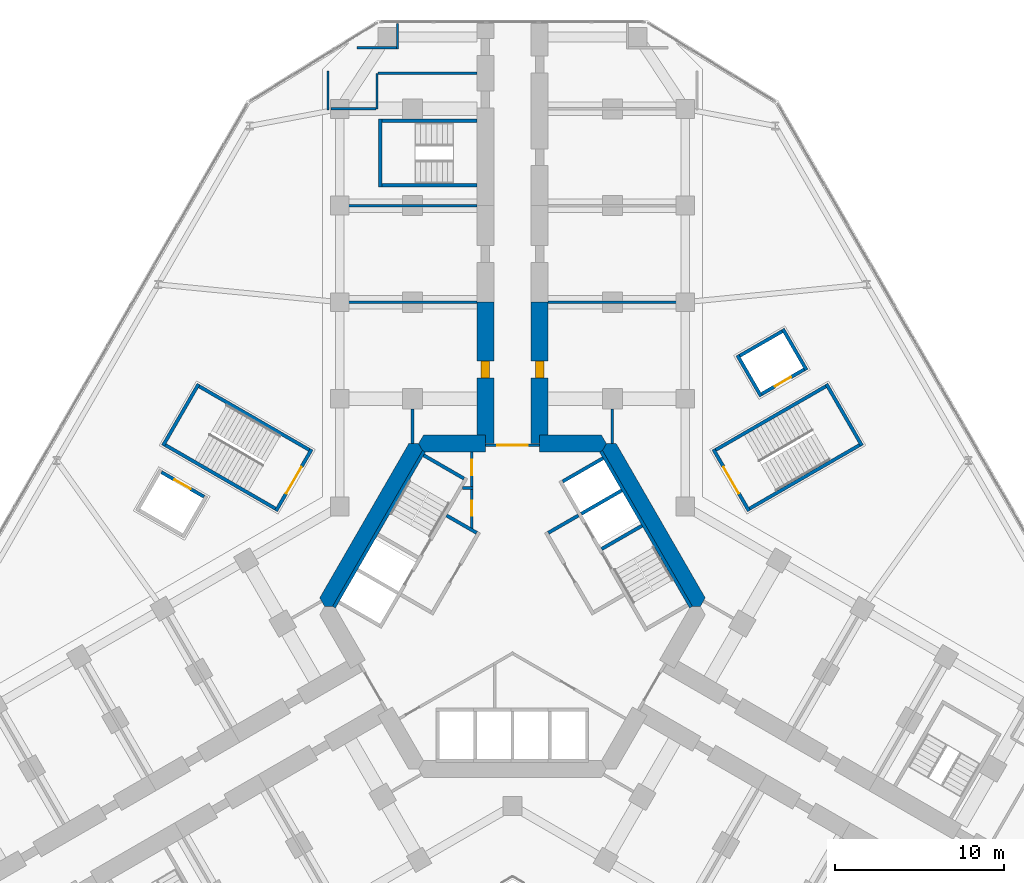
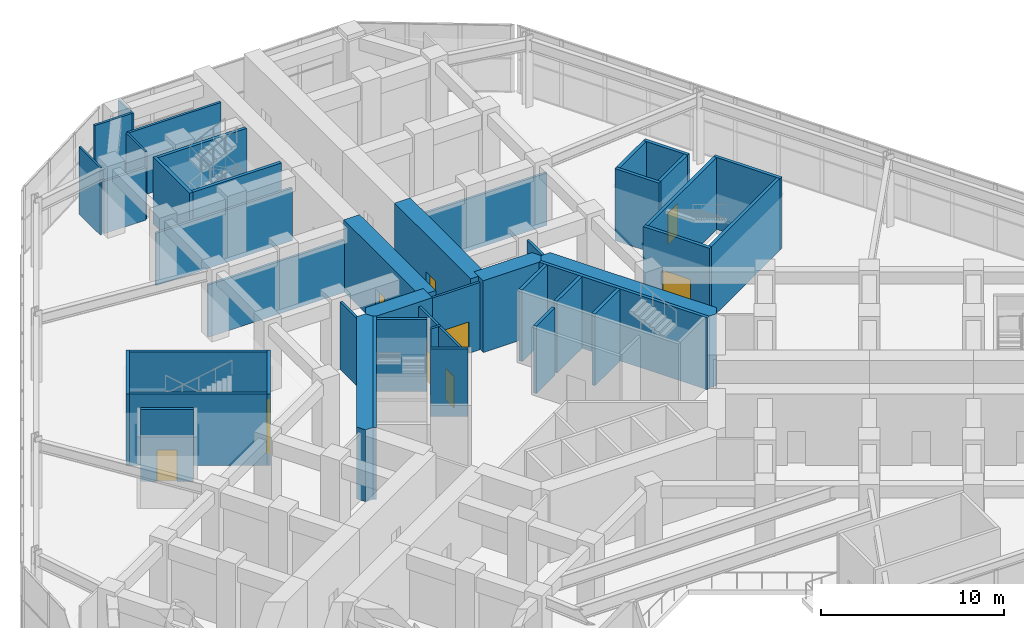
# One storey, part 17 of 22: 44 walls, 9 doors, 9 openings.
"""IFC4 building model written with IfcOpenShell, lengths in metres."""

from ifc_helpers import new_model, si_unit, direction, frame, frame_2d, origin, place, context, subcontext, project, spatial, polyline, rectangle, outline, extrude, material, layer, layer_set, type_object, element, fill, save


model = new_model("IFC4")

# Units and contexts
model_context = context("Model", 3, precision=1e-05, world=origin(), true_north=direction((0.0, 1.0)))
body_context = subcontext(model_context, "Body", "Model", "MODEL_VIEW")
ifc_project = project(units=[si_unit("LENGTHUNIT", "METRE"), si_unit("AREAUNIT", "SQUARE_METRE"), si_unit("VOLUMEUNIT", "CUBIC_METRE"), si_unit("PLANEANGLEUNIT", "RADIAN"), si_unit("MASSUNIT", "GRAM", prefix="KILO")], contexts=[model_context])

# Site, building, storey
site_placement = place(None, origin())
site = spatial("IfcSite", under=ifc_project, at=site_placement, CompositionType="ELEMENT")
building_placement = place(site_placement, origin())
building = spatial("IfcBuilding", under=site, at=building_placement, Name="Kosmar Iwan School Tower", CompositionType="ELEMENT")
storey_placement = place(building_placement, frame((0.0, 0.0, 15.60009765625)))
storey = spatial("IfcBuildingStorey", under=building, at=storey_placement, Name="L03", CompositionType="ELEMENT", Elevation=15.60009765625)

# Wall, openings, doors
ifc_material_1 = material(Name="Gypsum board on steel studs, fire-rated", Category="steel")
ifc_layer_1 = layer(ifc_material_1, 0.14990234375)
ifc_layer_set_1 = layer_set([ifc_layer_1], Name="Core room partition 150")
wall_type_1 = type_object("IfcWallType", Name="Core room partition 150", PredefinedType="PARTITIONING", material=ifc_layer_set_1)
wall_1_placement = place(storey_placement, frame((-2.39990234375, 9.094970703125, 0.0), z_axis=(0.0, 0.0, 1.0), x_axis=(0.0, -1.0, 0.0)))
wall_1 = element("IfcWall", 1, at=wall_1_placement, inside=storey, type_object=wall_type_1, Name="Core room partition L03-CW1", PredefinedType="PARTITIONING", context=body_context, shape_type="SweptSolid", body=[
    extrude(rectangle(XDim=4.564208984375, YDim=0.14990234375, at=frame_2d((2.2822265625, 0.0))), origin(), (0.0, 0.0, 1.0), 4.5),
])
opening_1_placement = place(wall_1_placement, frame((0.455078125, 0.0, 0.0)))
opening_1 = element("IfcOpeningElement", 2, at=opening_1_placement, cuts=wall_1, Name="Opening D14", PredefinedType="OPENING", context=body_context, shape_type="SweptSolid", body=[
    extrude(rectangle(XDim=0.89990234375, YDim=2.10009765625, at=frame_2d((0.449951171875, 1.050048828125))), frame((0.0, 0.0869140625, 0.0), z_axis=(0.0, -1.0, 0.0), x_axis=(1.0, 0.0, 0.0)), (0.0, 0.0, 1.0), 0.173828125),
])
opening_2_placement = place(wall_1_placement, frame((2.85498046875, 0.0, 0.0)))
opening_2 = element("IfcOpeningElement", 3, at=opening_2_placement, cuts=wall_1, Name="Opening D14", PredefinedType="OPENING", context=body_context, shape_type="SweptSolid", body=[
    extrude(rectangle(XDim=0.89990234375, YDim=2.10009765625, at=frame_2d((0.449951171875, 1.050048828125))), frame((0.0, 0.0869140625, 0.0), z_axis=(0.0, -1.0, 0.0), x_axis=(1.0, 0.0, 0.0)), (0.0, 0.0, 1.0), 0.173828125),
])
ifc_material_2 = material(Name="Timber fire door in steel frame", Category="steel")
door_type_1 = type_object("IfcDoorType", Name="Core room door 900x2100", OperationType="SINGLE_SWING_LEFT", PredefinedType="DOOR", material=ifc_material_2)
door_1_placement = place(opening_1_placement, origin())
door_1 = element("IfcDoor", 4, at=door_1_placement, inside=storey, type_object=door_type_1, Name="Electrical riser and switch room door L03 1", OperationType="SINGLE_SWING_LEFT", OverallHeight=2.10009765625, OverallWidth=0.89990234375, PredefinedType="DOOR", context=body_context, shape_type="SweptSolid", body=[
    extrude(rectangle(XDim=0.89990234375, YDim=2.10009765625, at=frame_2d((0.449951171875, 1.050048828125))), frame((0.0, 0.02490234375, 0.0), z_axis=(0.0, -1.0, 0.0), x_axis=(1.0, 0.0, 0.0)), (0.0, 0.0, 1.0), 0.050048828125),
])
fill(opening_1, door_1)
door_2_placement = place(opening_2_placement, origin())
door_2 = element("IfcDoor", 5, at=door_2_placement, inside=storey, type_object=door_type_1, Name="Plumbing and wet riser door L03 2", OperationType="SINGLE_SWING_RIGHT", OverallHeight=2.10009765625, OverallWidth=0.89990234375, PredefinedType="DOOR", context=body_context, shape_type="SweptSolid", body=[
    extrude(rectangle(XDim=0.89990234375, YDim=2.10009765625, at=frame_2d((0.449951171875, 1.050048828125))), frame((0.0, 0.02490234375, 0.0), z_axis=(0.0, -1.0, 0.0), x_axis=(1.0, 0.0, 0.0)), (0.0, 0.0, 1.0), 0.050048828125),
])
fill(opening_2, door_2)

# Walls
wall_2_placement = place(storey_placement, frame((-2.324951171875, 6.985107421875, 0.0), z_axis=(0.0, 0.0, 1.0), x_axis=(-1.0, 0.0, 0.0)))
element("IfcWall", 6, at=wall_2_placement, inside=storey, type_object=wall_type_1, Name="Core room partition L03-CW2", PredefinedType="PARTITIONING", context=body_context, shape_type="SweptSolid", body=[
    extrude(rectangle(XDim=0.623779296875, YDim=0.14990234375, at=frame_2d((0.31201171875, 0.0))), origin(), (0.0, 0.0, 1.0), 4.5),
])
ifc_material_3 = material(Name="Concrete C50/60", Category="concrete")
ifc_layer_2 = layer(ifc_material_3, 1.0)
ifc_layer_set_2 = layer_set([ifc_layer_2], Name="Core wall 1000")
wall_type_2 = type_object("IfcWallType", Name="Core wall 1000", PredefinedType="SHEAR", material=ifc_layer_set_2)
wall_3_placement = place(storey_placement, origin())
element("IfcWall", 7, at=wall_3_placement, inside=storey, type_object=wall_type_2, Name="Core wall F030", PredefinedType="SHEAR", context=body_context, shape_type="SweptSolid", body=[
    extrude(outline(polyline([(10.5078125, 0.0), (11.085205078125, 0.0), (11.373779296875, 0.5), (6.119873046875, 9.60009765625), (5.54248046875, 9.60009765625), (5.25390625, 9.10009765625), (10.5078125, 0.0)])), origin(), (0.0, 0.0, 1.0), 4.7998046875),
])
wall_4_placement = place(storey_placement, origin())
element("IfcWall", 8, at=wall_4_placement, inside=storey, type_object=wall_type_2, Name="Core wall F090a", PredefinedType="SHEAR", context=body_context, shape_type="SweptSolid", body=[
    extrude(outline(polyline([(1.60009765625, 9.10009765625), (5.25390625, 9.10009765625), (5.54248046875, 9.60009765625), (5.25390625, 10.10009765625), (1.60009765625, 10.10009765625), (1.60009765625, 9.10009765625)])), origin(), (0.0, 0.0, 1.0), 4.7998046875),
])
wall_5_placement = place(storey_placement, origin())
element("IfcWall", 9, at=wall_5_placement, inside=storey, type_object=wall_type_2, Name="Core wall F090b", PredefinedType="SHEAR", context=body_context, shape_type="SweptSolid", body=[
    extrude(outline(polyline([(-5.25390625, 9.10009765625), (-1.60009765625, 9.10009765625), (-1.60009765625, 10.10009765625), (-5.25390625, 10.10009765625), (-5.54248046875, 9.60009765625), (-5.25390625, 9.10009765625)])), origin(), (0.0, 0.0, 1.0), 4.7998046875),
])
wall_6_placement = place(storey_placement, origin())
element("IfcWall", 10, at=wall_6_placement, inside=storey, type_object=wall_type_2, Name="Core wall F150", PredefinedType="SHEAR", context=body_context, shape_type="SweptSolid", body=[
    extrude(outline(polyline([(-11.085205078125, 0.0), (-10.5078125, 0.0), (-5.25390625, 9.10009765625), (-5.54248046875, 9.60009765625), (-6.119873046875, 9.60009765625), (-11.373779296875, 0.5), (-11.085205078125, 0.0)])), origin(), (0.0, 0.0, 1.0), 4.7998046875),
])

# Wall, opening, door
ifc_material_4 = material(Name="Concrete C50/60", Category="concrete")
ifc_layer_3 = layer(ifc_material_4, 1.0)
ifc_layer_set_3 = layer_set([ifc_layer_3], Name="Corridor buttress wall 1000")
wall_type_3 = type_object("IfcWallType", Name="Corridor buttress wall 1000", PredefinedType="SHEAR", material=ifc_layer_set_3)
wall_7_placement = place(storey_placement, frame((-1.60009765625, 9.60009765625, 0.0), z_axis=(0.0, 0.0, 1.0), x_axis=(0.0, 1.0, 0.0)))
wall_7 = element("IfcWall", 11, at=wall_7_placement, inside=storey, type_object=wall_type_3, Name="Corridor wall AL", PredefinedType="SHEAR", context=body_context, shape_type="SweptSolid", body=[
    extrude(rectangle(XDim=8.349853515625, YDim=1.0, at=frame_2d((4.1748046875, 0.0))), origin(), (0.0, 0.0, 1.0), 4.7998046875),
])
opening_3_placement = place(wall_7_placement, frame((3.875, 0.0, 0.0)))
opening_3 = element("IfcOpeningElement", 12, at=opening_3_placement, cuts=wall_7, Name="Opening D4", PredefinedType="OPENING", context=body_context, shape_type="SweptSolid", body=[
    extrude(rectangle(XDim=1.0, YDim=2.300048828125, at=frame_2d((0.5, 1.14990234375))), frame((0.0, 0.511962890625, 0.0), z_axis=(0.0, -1.0, 0.0), x_axis=(1.0, 0.0, 0.0)), (0.0, 0.0, 1.0), 1.02392578125),
])
ifc_material_5 = material(Name="Timber fire door with vision panel", Category="wood")
door_type_2 = type_object("IfcDoorType", Name="Classroom door 1000x2300", OperationType="SINGLE_SWING_LEFT", PredefinedType="DOOR", material=ifc_material_5)
door_3_placement = place(opening_3_placement, origin())
door_3 = element("IfcDoor", 13, at=door_3_placement, inside=storey, type_object=door_type_2, Name="Secondary classroom AL1 door L03-AL1", OperationType="SINGLE_SWING_RIGHT", OverallHeight=2.300048828125, OverallWidth=1.0, PredefinedType="DOOR", context=body_context, shape_type="SweptSolid", body=[
    extrude(rectangle(XDim=1.0, YDim=2.300048828125, at=frame_2d((0.5, 1.14990234375))), frame((0.0, 0.25, 0.0), z_axis=(0.0, -1.0, 0.0), x_axis=(1.0, 0.0, 0.0)), (0.0, 0.0, 1.0), 0.5),
])
fill(opening_3, door_3)

wall_8_placement = place(storey_placement, frame((1.60009765625, 9.60009765625, 0.0), z_axis=(0.0, 0.0, 1.0), x_axis=(0.0, 1.0, 0.0)))
wall_8 = element("IfcWall", 14, at=wall_8_placement, inside=storey, type_object=wall_type_3, Name="Corridor wall AR", PredefinedType="SHEAR", context=body_context, shape_type="SweptSolid", body=[
    extrude(rectangle(XDim=8.349853515625, YDim=1.0, at=frame_2d((4.1748046875, 0.0))), origin(), (0.0, 0.0, 1.0), 4.7998046875),
])
opening_4_placement = place(wall_8_placement, frame((3.875, 0.0, 0.0)))
opening_4 = element("IfcOpeningElement", 15, at=opening_4_placement, cuts=wall_8, Name="Opening D4", PredefinedType="OPENING", context=body_context, shape_type="SweptSolid", body=[
    extrude(rectangle(XDim=1.0, YDim=2.300048828125, at=frame_2d((0.5, 1.14990234375))), frame((0.0, 0.511962890625, 0.0), z_axis=(0.0, -1.0, 0.0), x_axis=(1.0, 0.0, 0.0)), (0.0, 0.0, 1.0), 1.02392578125),
])
door_4_placement = place(opening_4_placement, origin())
door_4 = element("IfcDoor", 16, at=door_4_placement, inside=storey, type_object=door_type_2, Name="Secondary classroom AR1 door L03-AR1", OperationType="SINGLE_SWING_RIGHT", OverallHeight=2.300048828125, OverallWidth=1.0, PredefinedType="DOOR", context=body_context, shape_type="SweptSolid", body=[
    extrude(rectangle(XDim=1.0, YDim=2.300048828125, at=frame_2d((0.5, 1.14990234375))), frame((0.0, 0.25, 0.0), z_axis=(0.0, -1.0, 0.0), x_axis=(1.0, 0.0, 0.0)), (0.0, 0.0, 1.0), 0.5),
])
fill(opening_4, door_4)

ifc_material_6 = material(Name="Steel framed glazed screen", Category="steel")
ifc_layer_4 = layer(ifc_material_6, 0.14990234375)
ifc_layer_set_4 = layer_set([ifc_layer_4], Name="Corridor screen wall 150")
wall_type_4 = type_object("IfcWallType", Name="Corridor screen wall 150", PredefinedType="PARTITIONING", material=ifc_layer_set_4)
wall_9_placement = place(storey_placement, frame((1.60009765625, 9.5, 0.0), z_axis=(0.0, 0.0, 1.0), x_axis=(-1.0, 0.0, 0.0)))
wall_9 = element("IfcWall", 17, at=wall_9_placement, inside=storey, type_object=wall_type_4, Name="Corridor screen A L03", PredefinedType="PARTITIONING", context=body_context, shape_type="SweptSolid", body=[
    extrude(rectangle(XDim=3.2001953125, YDim=0.14990234375, at=frame_2d((1.60009765625, 0.0))), origin(), (0.0, 0.0, 1.0), 4.5),
])
opening_5_placement = place(wall_9_placement, frame((0.699951171875, 0.0, 0.0)))
opening_5 = element("IfcOpeningElement", 18, at=opening_5_placement, cuts=wall_9, Name="Opening D9", PredefinedType="OPENING", context=body_context, shape_type="SweptSolid", body=[
    extrude(rectangle(XDim=1.800048828125, YDim=2.10009765625, at=frame_2d((0.89990234375, 1.050048828125))), frame((0.0, 0.0869140625, 0.0), z_axis=(0.0, -1.0, 0.0), x_axis=(1.0, 0.0, 0.0)), (0.0, 0.0, 1.0), 0.173828125),
])
ifc_material_7 = material(Name="Steel framed glazed smoke door", Category="steel")
door_type_3 = type_object("IfcDoorType", Name="Corridor smoke door pair 1800x2100", OperationType="DOUBLE_DOOR_DOUBLE_SWING", PredefinedType="DOOR", material=ifc_material_7)
door_5_placement = place(opening_5_placement, origin())
door_5 = element("IfcDoor", 19, at=door_5_placement, inside=storey, type_object=door_type_3, Name="Corridor doors A L03", OperationType="DOUBLE_DOOR_DOUBLE_SWING", OverallHeight=2.10009765625, OverallWidth=1.800048828125, PredefinedType="DOOR", context=body_context, shape_type="SweptSolid", body=[
    extrude(rectangle(XDim=1.800048828125, YDim=2.10009765625, at=frame_2d((0.89990234375, 1.050048828125))), frame((0.0, 0.02490234375, 0.0), z_axis=(0.0, -1.0, 0.0), x_axis=(1.0, 0.0, 0.0)), (0.0, 0.0, 1.0), 0.050048828125),
])
fill(opening_5, door_5)

# Walls
ifc_material_8 = material(Name="Gypsum board on steel studs", Category="steel")
ifc_layer_5 = layer(ifc_material_8, 0.1201171875)
ifc_layer_set_5 = layer_set([ifc_layer_5], Name="Dwelling partition 120")
wall_type_5 = type_object("IfcWallType", Name="Dwelling partition 120", PredefinedType="PARTITIONING", material=ifc_layer_set_5)
wall_10_placement = place(storey_placement, frame((-6.7900390625, 32.89990234375, 0.0), z_axis=(0.0, 0.0, 1.0), x_axis=(0.0, 1.0, 0.0)))
element("IfcWall", 20, at=wall_10_placement, inside=storey, type_object=wall_type_5, Name="Partition L03-AL-DL", PredefinedType="PARTITIONING", context=body_context, shape_type="SweptSolid", body=[
    extrude(rectangle(XDim=1.4951171875, YDim=0.1201171875, at=frame_2d((0.74755859375, 0.0))), origin(), (0.0, 0.0, 1.0), 4.5),
])
wall_11_placement = place(storey_placement, frame((-10.8798828125, 29.27490234375, 0.0), z_axis=(0.0, 0.0, 1.0), x_axis=(0.0, 1.0, 0.0)))
element("IfcWall", 21, at=wall_11_placement, inside=storey, type_object=wall_type_5, Name="Partition L03-AL-TW", PredefinedType="PARTITIONING", context=body_context, shape_type="SweptSolid", body=[
    extrude(rectangle(XDim=2.3251953125, YDim=0.1201171875, at=frame_2d((1.16259765625, 0.0))), origin(), (0.0, 0.0, 1.0), 4.5),
])
wall_12_placement = place(storey_placement, frame((-8.0, 29.35009765625, 0.0), z_axis=(0.0, 0.0, 1.0), x_axis=(0.0, 1.0, 0.0)))
element("IfcWall", 22, at=wall_12_placement, inside=storey, type_object=wall_type_5, Name="Partition L03-AL-X3L", PredefinedType="PARTITIONING", context=body_context, shape_type="SweptSolid", body=[
    extrude(rectangle(XDim=2.099853515625, YDim=0.1201171875, at=frame_2d((1.0498046875, 0.0))), origin(), (0.0, 0.0, 1.0), 4.5),
])
ifc_material_9 = material(Name="Concrete C35/45", Category="concrete")
ifc_layer_6 = layer(ifc_material_9, 0.199951171875)
ifc_layer_set_6 = layer_set([ifc_layer_6], Name="Escape stair wall 200")
wall_type_6 = type_object("IfcWallType", Name="Escape stair wall 200", PredefinedType="SHEAR", material=ifc_layer_set_6)
for number, where, z_axis, x_axis, name in (
    (23, (-2.10009765625, 24.85009765625, 0.0), (0.0, 0.0, 1.0), (-1.0, 0.0, 0.0), "Stair WS1 wall"),
    (24, (-2.10009765625, 28.64990234375, 0.0), (0.0, 0.0, 1.0), (-1.0, 0.0, 0.0), "Stair WS1 wall"),
):
    element("IfcWall", number, at=place(storey_placement, frame(where, z_axis=z_axis, x_axis=x_axis)), inside=storey, type_object=wall_type_6, Name=name, PredefinedType="SHEAR", context=body_context, shape_type="SweptSolid", body=[
        extrude(rectangle(XDim=5.7998046875, YDim=0.199951171875, at=frame_2d((2.89990234375, 0.0))), origin(), (0.0, 0.0, 1.0), 4.47998046875),
    ])
wall_13_placement = place(storey_placement, frame((-7.800048828125, 24.75, 0.0), z_axis=(0.0, 0.0, 1.0), x_axis=(0.0, 1.0, 0.0)))
element("IfcWall", 25, at=wall_13_placement, inside=storey, type_object=wall_type_6, Name="Stair WS1 wall", PredefinedType="SHEAR", context=body_context, shape_type="SweptSolid", body=[
    extrude(rectangle(XDim=4.0, YDim=0.199951171875, at=frame_2d((2.0, 0.0))), origin(), (0.0, 0.0, 1.0), 4.47998046875),
])
ifc_material_10 = material(Name="Concrete block masonry", Category="masonry")
ifc_layer_7 = layer(ifc_material_10, 0.199951171875)
ifc_layer_set_7 = layer_set([ifc_layer_7], Name="Fire lobby wall 200")
wall_type_7 = type_object("IfcWallType", Name="Fire lobby wall 200", PredefinedType="PARTITIONING", material=ifc_layer_set_7)
for number, where, z_axis, x_axis, name in (
    (26, (-2.114013671875, 4.33837890625, 0.0), (0.0, 0.0, 1.0), (-0.866050731258, 0.499956128963, 0.0), "Firefighting lobby wall ST2"),
    (27, (2.114013671875, 4.33837890625, 0.0), (0.0, 0.0, 1.0), (0.866050731258, 0.499956128963, 0.0), "Firefighting lobby wall ST1"),
):
    element("IfcWall", number, at=place(storey_placement, frame(where, z_axis=z_axis, x_axis=x_axis)), inside=storey, type_object=wall_type_7, Name=name, PredefinedType="PARTITIONING", context=body_context, shape_type="SweptSolid", body=[
        extrude(rectangle(XDim=2.050048828125, YDim=0.199951171875, at=frame_2d((1.02490234375, 0.0))), origin(), (0.0, 0.0, 1.0), 4.5),
    ])
ifc_material_11 = material(Name="Concrete C50/60", Category="concrete")
ifc_layer_8 = layer(ifc_material_11, 0.199951171875)
ifc_layer_set_8 = layer_set([ifc_layer_8], Name="Lift shaft wall 200")
wall_type_8 = type_object("IfcWallType", Name="Lift shaft wall 200", PredefinedType="SHEAR", material=ifc_layer_set_8)
for number, where, z_axis, x_axis, name in (
    (28, (-5.22509765625, 9.14990234375, 0.0), (0.0, 0.0, 1.0), (-0.499994998079, -0.866028291626, 0.0), "Lift and stair back wall AB"),
    (29, (10.53662109375, -0.050048828125, 0.0), (0.0, 0.0, 1.0), (-0.499994998079, 0.866028291626, 0.0), "Lift and stair back wall AC"),
):
    element("IfcWall", number, at=place(storey_placement, frame(where, z_axis=z_axis, x_axis=x_axis)), inside=storey, type_object=wall_type_8, Name=name, PredefinedType="SHEAR", context=body_context, shape_type="SweptSolid", body=[
        extrude(rectangle(XDim=10.623046875, YDim=0.199951171875, at=frame_2d((5.3115234375, 0.0))), origin(), (0.0, 0.0, 1.0), 4.7998046875),
    ])
for number, where, z_axis, x_axis, name in (
    (30, (4.062744140625, 5.46337890625, 0.0), (0.0, 0.0, 1.0), (0.866027397988, 0.499996545922, 0.0), "Lift shaft wall AC 1"),
    (31, (2.962646484375, 7.368408203125, 0.0), (0.0, 0.0, 1.0), (0.866027397988, 0.499996545922, 0.0), "Lift shaft wall AC 2"),
):
    element("IfcWall", number, at=place(storey_placement, frame(where, z_axis=z_axis, x_axis=x_axis)), inside=storey, type_object=wall_type_8, Name=name, PredefinedType="SHEAR", context=body_context, shape_type="SweptSolid", body=[
        extrude(rectangle(XDim=2.75, YDim=0.199951171875, at=frame_2d((1.375, 0.0))), origin(), (0.0, 0.0, 1.0), 4.7998046875),
    ])
wall_14_placement = place(storey_placement, frame((14.66796875, 12.39453125, 0.0), z_axis=(0.0, 0.0, 1.0), x_axis=(-0.500049511043, 0.865996816683, 0.0)))
element("IfcWall", 32, at=wall_14_placement, inside=storey, type_object=wall_type_8, Name="School lift SL1 shaft wall", PredefinedType="SHEAR", context=body_context, shape_type="SweptSolid", body=[
    extrude(rectangle(XDim=2.800048828125, YDim=0.199951171875, at=frame_2d((1.39990234375, 0.0))), origin(), (0.0, 0.0, 1.0), 4.7998046875),
])
wall_15_placement = place(storey_placement, frame((17.3525390625, 13.944580078125, 0.0), z_axis=(0.0, 0.0, 1.0), x_axis=(-0.49998411664, 0.866034573852, 0.0)))
element("IfcWall", 33, at=wall_15_placement, inside=storey, type_object=wall_type_8, Name="School lift SL1 shaft wall", PredefinedType="SHEAR", context=body_context, shape_type="SweptSolid", body=[
    extrude(rectangle(XDim=2.7998046875, YDim=0.199951171875, at=frame_2d((1.39990234375, 0.0))), origin(), (0.0, 0.0, 1.0), 4.7998046875),
])
wall_16_placement = place(storey_placement, frame((13.404541015625, 14.78271484375, 0.0), z_axis=(0.0, 0.0, 1.0), x_axis=(0.866032775405, 0.499987231761, 0.0)))
element("IfcWall", 34, at=wall_16_placement, inside=storey, type_object=wall_type_8, Name="School lift SL1 shaft wall", PredefinedType="SHEAR", context=body_context, shape_type="SweptSolid", body=[
    extrude(rectangle(XDim=2.89990234375, YDim=0.199951171875, at=frame_2d((1.449951171875, 0.0))), origin(), (0.0, 0.0, 1.0), 4.7998046875),
])

# Wall, opening, door
wall_17_placement = place(storey_placement, frame((14.70458984375, 12.531005859375, 0.0), z_axis=(0.0, 0.0, 1.0), x_axis=(0.865996321171, 0.50005036918, 0.0)))
wall_17 = element("IfcWall", 35, at=wall_17_placement, inside=storey, type_object=wall_type_8, Name="School lift SL1 shaft wall", PredefinedType="SHEAR", context=body_context, shape_type="SweptSolid", body=[
    extrude(rectangle(XDim=2.900146484375, YDim=0.199951171875, at=frame_2d((1.4501953125, 0.0))), origin(), (0.0, 0.0, 1.0), 4.7998046875),
])
opening_6_placement = place(wall_17_placement, frame((0.89990234375, 0.0, 0.0)))
opening_6 = element("IfcOpeningElement", 36, at=opening_6_placement, cuts=wall_17, Name="Opening LD1", PredefinedType="OPENING", context=body_context, shape_type="SweptSolid", body=[
    extrude(rectangle(XDim=1.10009765625, YDim=2.10009765625, at=frame_2d((0.550048828125, 1.050048828125))), frame((0.0, 0.112060546875, 0.0), z_axis=(0.0, -1.0, 0.0), x_axis=(1.0, 0.0, 0.0)), (0.0, 0.0, 1.0), 0.223876953125),
])
ifc_material_12 = material(Name="Stainless steel sliding lift door", Category="steel")
door_type_4 = type_object("IfcDoorType", Name="Lift landing door 1100x2100", OperationType="SLIDING_TO_LEFT", PredefinedType="DOOR", material=ifc_material_12)
door_6_placement = place(opening_6_placement, origin())
door_6 = element("IfcDoor", 37, at=door_6_placement, inside=storey, type_object=door_type_4, Name="Lift SL1 landing door L03", OperationType="SLIDING_TO_LEFT", OverallHeight=2.10009765625, OverallWidth=1.10009765625, PredefinedType="DOOR", context=body_context, shape_type="SweptSolid", body=[
    extrude(rectangle(XDim=1.10009765625, YDim=2.10009765625, at=frame_2d((0.550048828125, 1.050048828125))), frame((0.0, 0.02490234375, 0.0), z_axis=(0.0, -1.0, 0.0), x_axis=(1.0, 0.0, 0.0)), (0.0, 0.0, 1.0), 0.050048828125),
])
fill(opening_6, door_6)

wall_18_placement = place(storey_placement, frame((-18.20458984375, 6.468994140625, 0.0), z_axis=(0.0, 0.0, 1.0), x_axis=(-0.866032775405, 0.499987231761, 0.0)))
wall_18 = element("IfcWall", 38, at=wall_18_placement, inside=storey, type_object=wall_type_8, Name="School lift SL2 shaft wall", PredefinedType="SHEAR", context=body_context, shape_type="SweptSolid", body=[
    extrude(rectangle(XDim=2.89990234375, YDim=0.199951171875, at=frame_2d((1.449951171875, 0.0))), origin(), (0.0, 0.0, 1.0), 4.7998046875),
])
opening_7_placement = place(wall_18_placement, frame((0.89990234375, 0.0, 0.0)))
opening_7 = element("IfcOpeningElement", 39, at=opening_7_placement, cuts=wall_18, Name="Opening LD1", PredefinedType="OPENING", context=body_context, shape_type="SweptSolid", body=[
    extrude(rectangle(XDim=1.10009765625, YDim=2.10009765625, at=frame_2d((0.550048828125, 1.050048828125))), frame((0.0, 0.112060546875, 0.0), z_axis=(0.0, -1.0, 0.0), x_axis=(1.0, 0.0, 0.0)), (0.0, 0.0, 1.0), 0.223876953125),
])
door_7_placement = place(opening_7_placement, origin())
door_7 = element("IfcDoor", 40, at=door_7_placement, inside=storey, type_object=door_type_4, Name="Lift SL2 landing door L03", OperationType="SLIDING_TO_LEFT", OverallHeight=2.10009765625, OverallWidth=1.10009765625, PredefinedType="DOOR", context=body_context, shape_type="SweptSolid", body=[
    extrude(rectangle(XDim=1.10009765625, YDim=2.10009765625, at=frame_2d((0.550048828125, 1.050048828125))), frame((0.0, 0.02490234375, 0.0), z_axis=(0.0, -1.0, 0.0), x_axis=(1.0, 0.0, 0.0)), (0.0, 0.0, 1.0), 0.050048828125),
])
fill(opening_7, door_7)

# Walls
ifc_material_13 = material(Name="Gypsum board on steel studs", Category="steel")
ifc_layer_9 = layer(ifc_material_13, 0.14990234375)
ifc_layer_set_9 = layer_set([ifc_layer_9], Name="School partition 150")
wall_type_9 = type_object("IfcWallType", Name="School partition 150", PredefinedType="PARTITIONING", material=ifc_layer_set_9)
wall_19_placement = place(storey_placement, frame((-5.89990234375, 9.60009765625, 0.0), z_axis=(0.0, 0.0, 1.0), x_axis=(0.0, 1.0, 0.0)))
element("IfcWall", 41, at=wall_19_placement, inside=storey, type_object=wall_type_9, Name="Partition L03-AL-NB", PredefinedType="PARTITIONING", context=body_context, shape_type="SweptSolid", body=[
    extrude(rectangle(XDim=2.0498046875, YDim=0.14990234375, at=frame_2d((1.02490234375, 0.0))), origin(), (0.0, 0.0, 1.0), 4.5),
])
wall_20_placement = place(storey_placement, frame((-6.72998046875, 32.97509765625, 0.0), z_axis=(0.0, 0.0, 1.0), x_axis=(-1.0, 0.0, 0.0)))
element("IfcWall", 42, at=wall_20_placement, inside=storey, type_object=wall_type_9, Name="Partition L03-AL-DC", PredefinedType="PARTITIONING", context=body_context, shape_type="SweptSolid", body=[
    extrude(rectangle(XDim=2.445068359375, YDim=0.14990234375, at=frame_2d((1.22265625, 0.0))), origin(), (0.0, 0.0, 1.0), 4.5),
])
for number, where, z_axis, x_axis, name in (
    (43, (-2.10009765625, 17.949951171875, 0.0), (0.0, 0.0, 1.0), (-1.0, 0.0, 0.0), "Partition L03-AL-X1"),
    (44, (-2.10009765625, 23.64990234375, 0.0), (0.0, 0.0, 1.0), (-1.0, 0.0, 0.0), "Partition L03-AL-X2"),
):
    element("IfcWall", number, at=place(storey_placement, frame(where, z_axis=z_axis, x_axis=x_axis)), inside=storey, type_object=wall_type_9, Name=name, PredefinedType="PARTITIONING", context=body_context, shape_type="SweptSolid", body=[
        extrude(rectangle(XDim=8.599853515625, YDim=0.14990234375, at=frame_2d((4.2998046875, 0.0))), origin(), (0.0, 0.0, 1.0), 3.5),
    ])
wall_21_placement = place(storey_placement, frame((-8.06005859375, 29.35009765625, 0.0), z_axis=(0.0, 0.0, 1.0), x_axis=(-1.0, 0.0, 0.0)))
element("IfcWall", 45, at=wall_21_placement, inside=storey, type_object=wall_type_9, Name="Partition L03-AL-X3", PredefinedType="PARTITIONING", context=body_context, shape_type="SweptSolid", body=[
    extrude(rectangle(XDim=2.639892578125, YDim=0.14990234375, at=frame_2d((1.31982421875, 0.0))), origin(), (0.0, 0.0, 1.0), 3.5),
])
wall_22_placement = place(storey_placement, frame((-2.10009765625, 31.449951171875, 0.0), z_axis=(0.0, 0.0, 1.0), x_axis=(-1.0, 0.0, 0.0)))
element("IfcWall", 46, at=wall_22_placement, inside=storey, type_object=wall_type_9, Name="Partition L03-AL-X3T", PredefinedType="PARTITIONING", context=body_context, shape_type="SweptSolid", body=[
    extrude(rectangle(XDim=5.83984375, YDim=0.14990234375, at=frame_2d((2.919921875, 0.0))), origin(), (0.0, 0.0, 1.0), 4.5),
])
wall_23_placement = place(storey_placement, frame((5.89990234375, 9.60009765625, 0.0), z_axis=(0.0, 0.0, 1.0), x_axis=(0.0, 1.0, 0.0)))
element("IfcWall", 47, at=wall_23_placement, inside=storey, type_object=wall_type_9, Name="Partition L03-AR-NB", PredefinedType="PARTITIONING", context=body_context, shape_type="SweptSolid", body=[
    extrude(rectangle(XDim=2.0498046875, YDim=0.14990234375, at=frame_2d((1.02490234375, 0.0))), origin(), (0.0, 0.0, 1.0), 4.5),
])
wall_24_placement = place(storey_placement, frame((2.10009765625, 17.949951171875, 0.0), z_axis=(0.0, 0.0, 1.0), x_axis=(1.0, 0.0, 0.0)))
element("IfcWall", 48, at=wall_24_placement, inside=storey, type_object=wall_type_9, Name="Partition L03-AR-X1", PredefinedType="PARTITIONING", context=body_context, shape_type="SweptSolid", body=[
    extrude(rectangle(XDim=8.599853515625, YDim=0.14990234375, at=frame_2d((4.2998046875, 0.0))), origin(), (0.0, 0.0, 1.0), 3.5),
])
ifc_material_14 = material(Name="Concrete C50/60", Category="concrete")
ifc_layer_10 = layer(ifc_material_14, 0.199951171875)
ifc_layer_set_10 = layer_set([ifc_layer_10], Name="Stair enclosure wall 200")
wall_type_10 = type_object("IfcWallType", Name="Stair enclosure wall 200", PredefinedType="SHEAR", material=ifc_layer_set_10)
for number, where, z_axis, x_axis, name in (
    (49, (-2.862548828125, 7.541748046875, 0.0), (0.0, 0.0, 1.0), (-0.866027397988, 0.499996545922, 0.0), "Stair ST2 wall"),
    (50, (5.2626953125, 3.384765625, 0.0), (0.0, 0.0, 1.0), (0.866027397988, 0.499996545922, 0.0), "Stair ST1 wall"),
):
    element("IfcWall", number, at=place(storey_placement, frame(where, z_axis=z_axis, x_axis=x_axis)), inside=storey, type_object=wall_type_10, Name=name, PredefinedType="SHEAR", context=body_context, shape_type="SweptSolid", body=[
        extrude(rectangle(XDim=2.75, YDim=0.199951171875, at=frame_2d((1.375, 0.0))), origin(), (0.0, 0.0, 1.0), 4.7998046875),
    ])
for number, where, z_axis, x_axis, name in (
    (51, (13.990478515625, 5.767822265625, 0.0), (0.0, 0.0, 1.0), (0.866008863278, 0.500028647903, 0.0), "School stair SS3 wall"),
    (52, (11.990478515625, 9.23193359375, 0.0), (0.0, 0.0, 1.0), (0.866008863278, 0.500028647903, 0.0), "School stair SS3 wall"),
):
    element("IfcWall", number, at=place(storey_placement, frame(where, z_axis=z_axis, x_axis=x_axis)), inside=storey, type_object=wall_type_10, Name=name, PredefinedType="SHEAR", context=body_context, shape_type="SweptSolid", body=[
        extrude(rectangle(XDim=7.5, YDim=0.199951171875, at=frame_2d((3.75, 0.0))), origin(), (0.0, 0.0, 1.0), 4.7998046875),
    ])
wall_25_placement = place(storey_placement, frame((20.6220703125, 9.4814453125, 0.0), z_axis=(0.0, 0.0, 1.0), x_axis=(-0.49998411664, 0.866034573852, 0.0)))
element("IfcWall", 53, at=wall_25_placement, inside=storey, type_object=wall_type_10, Name="School stair SS3 wall", PredefinedType="SHEAR", context=body_context, shape_type="SweptSolid", body=[
    extrude(rectangle(XDim=4.199951171875, YDim=0.199951171875, at=frame_2d((2.10009765625, 0.0))), origin(), (0.0, 0.0, 1.0), 4.7998046875),
])

# Wall, opening, door
wall_26_placement = place(storey_placement, frame((13.953857421875, 5.63134765625, 0.0), z_axis=(0.0, 0.0, 1.0), x_axis=(-0.500027713859, 0.866009402589, 0.0)))
wall_26 = element("IfcWall", 54, at=wall_26_placement, inside=storey, type_object=wall_type_10, Name="School stair SS3 wall", PredefinedType="SHEAR", context=body_context, shape_type="SweptSolid", body=[
    extrude(rectangle(XDim=4.199951171875, YDim=0.199951171875, at=frame_2d((2.10009765625, 0.0))), origin(), (0.0, 0.0, 1.0), 4.7998046875),
])
opening_8_placement = place(wall_26_placement, frame((1.199951171875, 0.0, 0.0)))
opening_8 = element("IfcOpeningElement", 55, at=opening_8_placement, cuts=wall_26, Name="Opening D8", PredefinedType="OPENING", context=body_context, shape_type="SweptSolid", body=[
    extrude(rectangle(XDim=1.800048828125, YDim=2.300048828125, at=frame_2d((0.89990234375, 1.14990234375))), frame((0.0, 0.112060546875, 0.0), z_axis=(0.0, -1.0, 0.0), x_axis=(1.0, 0.0, 0.0)), (0.0, 0.0, 1.0), 0.223876953125),
])
ifc_material_15 = material(Name="Steel fire door", Category="steel")
door_type_5 = type_object("IfcDoorType", Name="School stair door pair 1800x2300", OperationType="DOUBLE_DOOR_SINGLE_SWING", PredefinedType="DOOR", material=ifc_material_15)
door_8_placement = place(opening_8_placement, origin())
door_8 = element("IfcDoor", 56, at=door_8_placement, inside=storey, type_object=door_type_5, Name="School stair SS3 door L03", OperationType="DOUBLE_DOOR_SINGLE_SWING", OverallHeight=2.300048828125, OverallWidth=1.800048828125, PredefinedType="DOOR", context=body_context, shape_type="SweptSolid", body=[
    extrude(rectangle(XDim=1.800048828125, YDim=2.300048828125, at=frame_2d((0.89990234375, 1.14990234375))), frame((0.0, 0.02490234375, 0.0), z_axis=(0.0, -1.0, 0.0), x_axis=(1.0, 0.0, 0.0)), (0.0, 0.0, 1.0), 0.050048828125),
])
fill(opening_8, door_8)

# Walls
for number, where, z_axis, x_axis, name in (
    (57, (-11.990478515625, 9.23193359375, 0.0), (0.0, 0.0, 1.0), (-0.866008863278, 0.500028647903, 0.0), "School stair SS4 wall"),
    (58, (-13.990478515625, 5.767822265625, 0.0), (0.0, 0.0, 1.0), (-0.866008863278, 0.500028647903, 0.0), "School stair SS4 wall"),
):
    element("IfcWall", number, at=place(storey_placement, frame(where, z_axis=z_axis, x_axis=x_axis)), inside=storey, type_object=wall_type_10, Name=name, PredefinedType="SHEAR", context=body_context, shape_type="SweptSolid", body=[
        extrude(rectangle(XDim=7.5, YDim=0.199951171875, at=frame_2d((3.75, 0.0))), origin(), (0.0, 0.0, 1.0), 4.7998046875),
    ])
wall_27_placement = place(storey_placement, frame((-18.522216796875, 13.11865234375, 0.0), z_axis=(0.0, 0.0, 1.0), x_axis=(-0.49998411664, -0.866034573852, 0.0)))
element("IfcWall", 59, at=wall_27_placement, inside=storey, type_object=wall_type_10, Name="School stair SS4 wall", PredefinedType="SHEAR", context=body_context, shape_type="SweptSolid", body=[
    extrude(rectangle(XDim=4.199951171875, YDim=0.199951171875, at=frame_2d((2.10009765625, 0.0))), origin(), (0.0, 0.0, 1.0), 4.7998046875),
])

# Wall, opening, door
wall_28_placement = place(storey_placement, frame((-11.853759765625, 9.2685546875, 0.0), z_axis=(0.0, 0.0, 1.0), x_axis=(-0.500027713859, -0.866009402589, 0.0)))
wall_28 = element("IfcWall", 60, at=wall_28_placement, inside=storey, type_object=wall_type_10, Name="School stair SS4 wall", PredefinedType="SHEAR", context=body_context, shape_type="SweptSolid", body=[
    extrude(rectangle(XDim=4.199951171875, YDim=0.199951171875, at=frame_2d((2.10009765625, 0.0))), origin(), (0.0, 0.0, 1.0), 4.7998046875),
])
opening_9_placement = place(wall_28_placement, frame((1.199951171875, 0.0, 0.0)))
opening_9 = element("IfcOpeningElement", 61, at=opening_9_placement, cuts=wall_28, Name="Opening D8", PredefinedType="OPENING", context=body_context, shape_type="SweptSolid", body=[
    extrude(rectangle(XDim=1.800048828125, YDim=2.300048828125, at=frame_2d((0.89990234375, 1.14990234375))), frame((0.0, 0.112060546875, 0.0), z_axis=(0.0, -1.0, 0.0), x_axis=(1.0, 0.0, 0.0)), (0.0, 0.0, 1.0), 0.223876953125),
])
door_9_placement = place(opening_9_placement, origin())
door_9 = element("IfcDoor", 62, at=door_9_placement, inside=storey, type_object=door_type_5, Name="School stair SS4 door L03", OperationType="DOUBLE_DOOR_SINGLE_SWING", OverallHeight=2.300048828125, OverallWidth=1.800048828125, PredefinedType="DOOR", context=body_context, shape_type="SweptSolid", body=[
    extrude(rectangle(XDim=1.800048828125, YDim=2.300048828125, at=frame_2d((0.89990234375, 1.14990234375))), frame((0.0, 0.02490234375, 0.0), z_axis=(0.0, -1.0, 0.0), x_axis=(1.0, 0.0, 0.0)), (0.0, 0.0, 1.0), 0.050048828125),
])
fill(opening_9, door_9)

save(model, "model.ifc")
